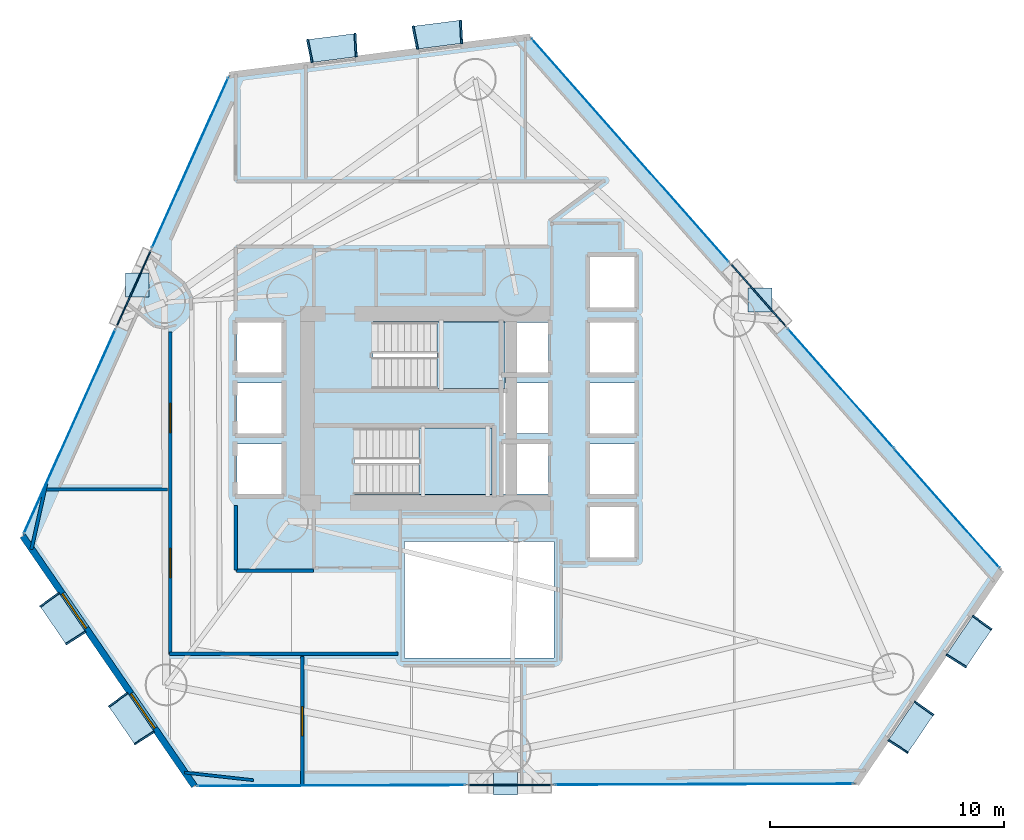
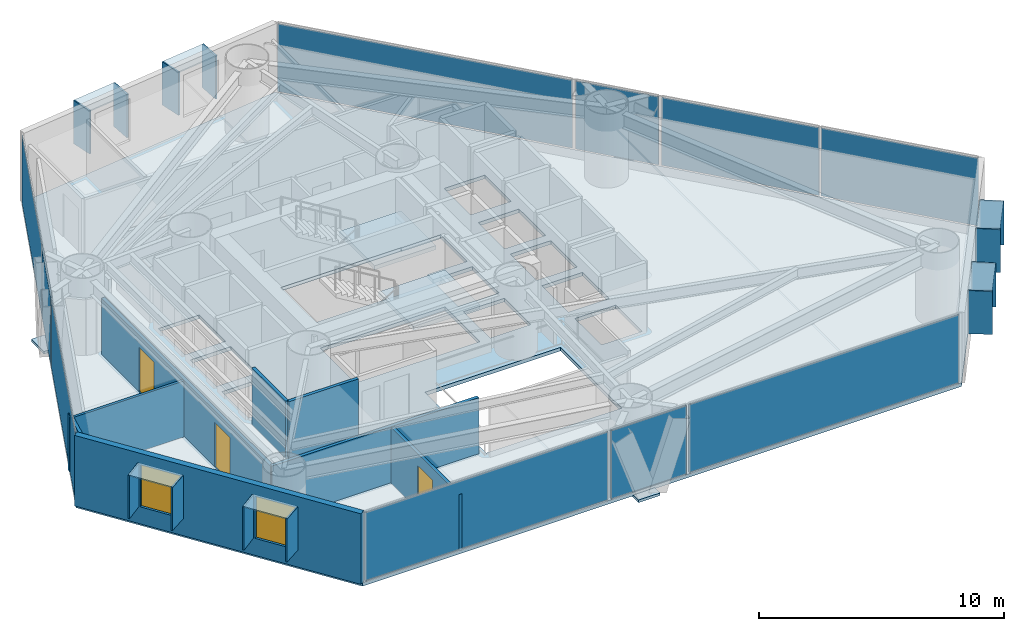
# One storey, part 15 of 22: 31 plates, 9 walls, 3 doors, 3 slabs, 2 windows, 5 openings, 11 elements without a shape of their own.
"""IFC4 building model written with IfcOpenShell, lengths in metres."""

from ifc_helpers import new_model, si_unit, direction, frame, frame_2d, origin, origin_2d, place, context, subcontext, project, spatial, polyline, rectangle, outline, extrude, material, layer, layer_set, type_object, element, fill, aggregate, save


model = new_model("IFC4")

# Units and contexts
model_context = context("Model", 3, precision=1e-05, world=origin(), true_north=direction((0.0, 1.0)))
body_context = subcontext(model_context, "Body", "Model", "MODEL_VIEW")
ifc_project = project(units=[si_unit("LENGTHUNIT", "METRE"), si_unit("AREAUNIT", "SQUARE_METRE"), si_unit("VOLUMEUNIT", "CUBIC_METRE"), si_unit("PLANEANGLEUNIT", "RADIAN"), si_unit("MASSUNIT", "GRAM", prefix="KILO")], contexts=[model_context])

# Site, building, storey
site_placement = place(None, origin())
site = spatial("IfcSite", under=ifc_project, at=site_placement, CompositionType="ELEMENT")
building_placement = place(site_placement, origin())
building = spatial("IfcBuilding", under=site, at=building_placement, Name="Qianvela Tower", CompositionType="ELEMENT")
storey_placement = place(building_placement, frame((0.0, 0.0, 40.5)))
storey = spatial("IfcBuildingStorey", under=building, at=storey_placement, Name="L09", CompositionType="ELEMENT", Elevation=40.5)

# Curtain wall, plate
ifc_material_1 = material(Name="Anodised Architectural Aluminium and Insulated Spandrel Panel", Category="aluminium")
ifc_layer_1 = layer(ifc_material_1, 0.179931640625)
ifc_layer_set_1 = layer_set([ifc_layer_1], Name="Anodised Architectural Aluminium and Insulated Spandrel Panel")
curtain_wall_type_1 = type_object("IfcCurtainWallType", Name="CW-BRACEBAY", PredefinedType="USERDEFINED", material=ifc_layer_set_1)
curtain_wall_1_placement = place(storey_placement, origin())
curtain_wall_1 = element("IfcCurtainWall", 1, at=curtain_wall_1_placement, inside=storey, type_object=curtain_wall_type_1, Name="L09 CW-BRACEBAY Curtain Wall 02B", ObjectType="CURTAIN_WALL_SYSTEM", PredefinedType="USERDEFINED")
ifc_material_2 = material(Name="Insulated Aluminium Spandrel Panel with Mineral-Wool Backpan", Category="aluminium")
ifc_layer_2 = layer(ifc_material_2, 0.06005859375)
ifc_layer_set_2 = layer_set([ifc_layer_2], Name="Insulated Aluminium Spandrel Panel with Mineral-Wool Backpan")
plate_type_1 = type_object("IfcPlateType", Name="CW-BRACEBAY-PNL", PredefinedType="CURTAIN_PANEL", material=ifc_layer_set_2)
plate_1_placement = place(storey_placement, frame((48.758544921875, 33.54052734375, 0.06494140625), z_axis=(0.0, 0.0, 1.0), x_axis=(-0.662462790711, 0.749094821049, 0.0)))
plate_1 = element("IfcPlate", 2, at=plate_1_placement, type_object=plate_type_1, Name="CW-9 panel 1.1", PredefinedType="CURTAIN_PANEL", context=body_context, shape_type="SweptSolid", body=[
    extrude(rectangle(XDim=3.579833984375, YDim=0.06005859375, at=origin_2d()), origin(), (0.0, 0.0, 1.0), 3.389892578125),
])
aggregate(curtain_wall_1, [plate_1])

curtain_wall_2_placement = place(storey_placement, origin())
curtain_wall_2 = element("IfcCurtainWall", 3, at=curtain_wall_2_placement, inside=storey, type_object=curtain_wall_type_1, Name="L09 CW-BRACEBAY Curtain Wall 04B", ObjectType="CURTAIN_WALL_SYSTEM", PredefinedType="USERDEFINED")
plate_2_placement = place(storey_placement, frame((22.011962890625, 33.82421875, 0.06494140625), z_axis=(0.0, 0.0, 1.0), x_axis=(-0.40927318064, -0.912411893614, 0.0)))
plate_2 = element("IfcPlate", 4, at=plate_2_placement, type_object=plate_type_1, Name="CW-9 panel 1.1", PredefinedType="CURTAIN_PANEL", context=body_context, shape_type="SweptSolid", body=[
    extrude(rectangle(XDim=3.570068359375, YDim=0.06005859375, at=origin_2d()), origin(), (0.0, 0.0, 1.0), 3.389892578125),
])
aggregate(curtain_wall_2, [plate_2])

curtain_wall_3_placement = place(storey_placement, origin())
curtain_wall_3 = element("IfcCurtainWall", 5, at=curtain_wall_3_placement, inside=storey, type_object=curtain_wall_type_1, Name="L09 CW-BRACEBAY Curtain Wall 06B", ObjectType="CURTAIN_WALL_SYSTEM", PredefinedType="USERDEFINED")
plate_3_placement = place(storey_placement, frame((38.124267578125, 12.572998046875, 0.06494140625), z_axis=(0.0, 0.0, 1.0), x_axis=(0.999994293329, 0.003378359094, 0.0)))
plate_3 = element("IfcPlate", 6, at=plate_3_placement, type_object=plate_type_1, Name="CW-9 panel 1.1", PredefinedType="CURTAIN_PANEL", context=body_context, shape_type="SweptSolid", body=[
    extrude(rectangle(XDim=3.570068359375, YDim=0.06005859375, at=origin_2d()), origin(), (0.0, 0.0, 1.0), 3.389892578125),
])
aggregate(curtain_wall_3, [plate_3])

# Curtain wall, plates
ifc_material_3 = material(Name="Anodised Architectural Aluminium and Low-E Glass", Category="aluminium")
ifc_layer_3 = layer(ifc_material_3, 0.179931640625)
ifc_layer_set_3 = layer_set([ifc_layer_3], Name="Anodised Architectural Aluminium and Low-E Glass")
curtain_wall_type_2 = type_object("IfcCurtainWallType", Name="CW-COLIV-Z12", PredefinedType="USERDEFINED", material=ifc_layer_set_3)
curtain_wall_4_placement = place(storey_placement, origin())
curtain_wall_4 = element("IfcCurtainWall", 7, at=curtain_wall_4_placement, inside=storey, type_object=curtain_wall_type_2, Name="L09 CW-COLIV-Z12 Curtain Wall 02A", ObjectType="CURTAIN_WALL_SYSTEM", PredefinedType="USERDEFINED")
ifc_material_4 = material(Name="Double-Silver Low-E Insulated Glass", Category="glass")
ifc_layer_4 = layer(ifc_material_4, 0.030029296875)
ifc_layer_set_4 = layer_set([ifc_layer_4], Name="Double-Silver Low-E Insulated Glass")
plate_type_2 = type_object("IfcPlateType", Name="CW-COLIV-Z12-PNL", PredefinedType="CURTAIN_PANEL", material=ifc_layer_set_4)
plate_4_placement = place(storey_placement, frame((56.8271484375, 24.41650390625, 0.06494140625), z_axis=(0.0, 0.0, 1.0), x_axis=(-0.662449638765, 0.749106451782, 0.0)))
plate_4 = element("IfcPlate", 8, at=plate_4_placement, type_object=plate_type_2, Name="CW-3 panel 1.1", PredefinedType="CURTAIN_PANEL", context=body_context, shape_type="SweptSolid", body=[
    extrude(rectangle(XDim=6.7900390625, YDim=0.030029296875, at=origin_2d()), origin(), (0.0, 0.0, 1.0), 3.389892578125),
])
plate_5_placement = place(storey_placement, frame((52.28271484375, 29.555419921875, 0.06494140625), z_axis=(0.0, 0.0, 1.0), x_axis=(-0.662449638765, 0.749106451782, 0.0)))
plate_5 = element("IfcPlate", 9, at=plate_5_placement, type_object=plate_type_2, Name="CW-3 panel 2.1", PredefinedType="CURTAIN_PANEL", context=body_context, shape_type="SweptSolid", body=[
    extrude(rectangle(XDim=6.7900390625, YDim=0.030029296875, at=origin_2d()), origin(), (0.0, 0.0, 1.0), 3.389892578125),
])
aggregate(curtain_wall_4, [plate_4, plate_5])

# Curtain wall, plate
curtain_wall_5_placement = place(storey_placement, origin())
curtain_wall_5 = element("IfcCurtainWall", 10, at=curtain_wall_5_placement, inside=storey, type_object=curtain_wall_type_2, Name="L09 CW-COLIV-Z12 Curtain Wall 02C", ObjectType="CURTAIN_WALL_SYSTEM", PredefinedType="USERDEFINED")
plate_6_placement = place(storey_placement, frame((43.27490234375, 39.741455078125, 0.06494140625), z_axis=(0.0, 0.0, 1.0), x_axis=(-0.662447221335, 0.749108589555, 0.0)))
plate_6 = element("IfcPlate", 11, at=plate_6_placement, type_object=plate_type_2, Name="CW-3 panel 1.1", PredefinedType="CURTAIN_PANEL", context=body_context, shape_type="SweptSolid", body=[
    extrude(rectangle(XDim=12.705322265625, YDim=0.030029296875, at=origin_2d()), origin(), (0.0, 0.0, 1.0), 3.389892578125),
])
aggregate(curtain_wall_5, [plate_6])

curtain_wall_6_placement = place(storey_placement, origin())
curtain_wall_6 = element("IfcCurtainWall", 12, at=curtain_wall_6_placement, inside=storey, type_object=curtain_wall_type_2, Name="L09 CW-COLIV-Z12 Curtain Wall 04A", ObjectType="CURTAIN_WALL_SYSTEM", PredefinedType="USERDEFINED")
plate_7_placement = place(storey_placement, frame((24.4287109375, 39.2119140625, 0.06494140625), z_axis=(0.0, 0.0, 1.0), x_axis=(-0.409285665371, -0.912406293338, 0.0)))
plate_7 = element("IfcPlate", 13, at=plate_7_placement, type_object=plate_type_2, Name="CW-3 panel 1.1", PredefinedType="CURTAIN_PANEL", context=body_context, shape_type="SweptSolid", body=[
    extrude(rectangle(XDim=7.969970703125, YDim=0.030029296875, at=origin_2d()), origin(), (0.0, 0.0, 1.0), 3.389892578125),
])
aggregate(curtain_wall_6, [plate_7])

curtain_wall_7_placement = place(storey_placement, origin())
curtain_wall_7 = element("IfcCurtainWall", 14, at=curtain_wall_7_placement, inside=storey, type_object=curtain_wall_type_2, Name="L09 CW-COLIV-Z12 Curtain Wall 04C", ObjectType="CURTAIN_WALL_SYSTEM", PredefinedType="USERDEFINED")
plate_8_placement = place(storey_placement, frame((19.267822265625, 27.706787109375, 0.06494140625), z_axis=(0.0, 0.0, 1.0), x_axis=(-0.409280934835, -0.912408415339, 0.0)))
plate_8 = element("IfcPlate", 15, at=plate_8_placement, type_object=plate_type_2, Name="CW-3 panel 1.1", PredefinedType="CURTAIN_PANEL", context=body_context, shape_type="SweptSolid", body=[
    extrude(rectangle(XDim=9.569580078125, YDim=0.030029296875, at=origin_2d()), origin(), (0.0, 0.0, 1.0), 3.389892578125),
])
aggregate(curtain_wall_7, [plate_8])

curtain_wall_8_placement = place(storey_placement, origin())
curtain_wall_8 = element("IfcCurtainWall", 16, at=curtain_wall_8_placement, inside=storey, type_object=curtain_wall_type_2, Name="L09 CW-COLIV-Z12 Curtain Wall 06A", ObjectType="CURTAIN_WALL_SYSTEM", PredefinedType="USERDEFINED")
plate_9_placement = place(storey_placement, frame((30.46435546875, 12.54736328125, 0.06494140625), z_axis=(0.0, 0.0, 1.0), x_axis=(0.999994338715, 0.00336489804, 0.0)))
plate_9 = element("IfcPlate", 17, at=plate_9_placement, type_object=plate_type_2, Name="CW-3 panel 1.1", PredefinedType="CURTAIN_PANEL", context=body_context, shape_type="SweptSolid", body=[
    extrude(rectangle(XDim=11.47998046875, YDim=0.030029296875, at=origin_2d()), origin(), (0.0, 0.0, 1.0), 3.389892578125),
])
aggregate(curtain_wall_8, [plate_9])

curtain_wall_9_placement = place(storey_placement, origin())
curtain_wall_9 = element("IfcCurtainWall", 18, at=curtain_wall_9_placement, inside=storey, type_object=curtain_wall_type_2, Name="L09 CW-COLIV-Z12 Curtain Wall 06C", ObjectType="CURTAIN_WALL_SYSTEM", PredefinedType="USERDEFINED")
plate_10_placement = place(storey_placement, frame((46.42919921875, 12.60107421875, 0.06494140625), z_axis=(0.0, 0.0, 1.0), x_axis=(0.999994349329, 0.003361742136, 0.0)))
plate_10 = element("IfcPlate", 19, at=plate_10_placement, type_object=plate_type_2, Name="CW-3 panel 1.1", PredefinedType="CURTAIN_PANEL", context=body_context, shape_type="SweptSolid", body=[
    extrude(rectangle(XDim=12.77001953125, YDim=0.030029296875, at=origin_2d()), origin(), (0.0, 0.0, 1.0), 3.389892578125),
])
aggregate(curtain_wall_9, [plate_10])

# Plates
ifc_material_5 = material(Name="Steel Q420GJC", Category="steel")
ifc_layer_5 = layer(ifc_material_5, 0.1298828125)
ifc_layer_set_5 = layer_set([ifc_layer_5], Name="Steel Q420GJC")
plate_type_3 = type_object("IfcPlateType", Name="PT-ENDCAP-130", PredefinedType="USERDEFINED", material=ifc_layer_set_5)
for number, where, z_axis, x_axis, name in (
    (20, (48.830810546875, 33.337890625, -0.26171875), (0.0, 0.0, 1.0), (1.0, 0.0, 0.0), "L09 Hollow Section End Cap Plate A"),
    (21, (22.166259765625, 33.97314453125, -0.26171875), (0.0, 0.0, 1.0), (1.0, 0.0, 0.0), "L09 Hollow Section End Cap Plate A"),
    (22, (37.92431640625, 12.65234375, -0.26171875), (0.0, 0.0, 1.0), (1.0, 0.0, 0.0), "L09 Hollow Section End Cap Plate A"),
):
    element("IfcPlate", number, at=place(storey_placement, frame(where, z_axis=z_axis, x_axis=x_axis)), inside=storey, type_object=plate_type_3, Name=name, ObjectType="END_CAP", PredefinedType="USERDEFINED", context=body_context, shape_type="SweptSolid", body=[
        extrude(rectangle(XDim=1.02001953125, YDim=1.02001953125, at=origin_2d()), origin(), (0.0, 0.0, 1.0), 0.1298828125),
    ])

# Slab
ifc_material_6 = material(Name="Concrete C40", Category="concrete")
ifc_layer_6 = layer(ifc_material_6, 0.179931640625)
ifc_layer_set_6 = layer_set([ifc_layer_6], Name="Concrete C40")
slab_type_1 = type_object("IfcSlabType", Name="SL-FLOOR-180", PredefinedType="FLOOR", material=ifc_layer_set_6)
slab_1_placement = place(storey_placement, frame((0.0, 0.0, -0.179931640625)))
element("IfcSlab", 23, at=slab_1_placement, inside=storey, type_object=slab_type_1, Name="L09 Composite Structural Floor Slab", PredefinedType="FLOOR", context=body_context, shape_type="SweptSolid", body=[
    extrude(outline(polyline([(52.93408203125, 12.622802734375), (59.155517578125, 21.783203125), (38.987060546875, 44.590087890625), (26.10888671875, 42.957275390625), (17.26025390625, 23.231689453125), (24.6044921875, 12.527587890625), (52.93408203125, 12.622802734375)]), holes=[polyline([(40.0, 23.0), (33.60009765625, 23.0), (33.60009765625, 18.0), (40.0, 18.0), (40.0, 23.0)]), polyline([(28.360107421875, 25.02001953125), (28.360107421875, 27.179931640625), (26.43994140625, 27.179931640625), (26.43994140625, 25.02001953125), (28.360107421875, 25.02001953125)]), polyline([(37.35009765625, 25.0), (37.35009765625, 27.860107421875), (31.469970703125, 27.860107421875), (31.469970703125, 25.0), (37.35009765625, 25.0)]), polyline([(28.360107421875, 27.6201171875), (28.360107421875, 29.780029296875), (26.43994140625, 29.780029296875), (26.43994140625, 27.6201171875), (28.360107421875, 27.6201171875)]), polyline([(37.89990234375, 32.3798828125), (37.89990234375, 32.39990234375), (32.25, 32.39990234375), (32.25, 29.5400390625), (37.840087890625, 29.5400390625), (37.840087890625, 27.6201171875), (39.760009765625, 27.6201171875), (39.760009765625, 29.780029296875), (37.89990234375, 29.780029296875), (37.89990234375, 30.219970703125), (39.760009765625, 30.219970703125), (39.760009765625, 32.3798828125), (37.89990234375, 32.3798828125)]), polyline([(28.360107421875, 30.219970703125), (28.360107421875, 32.3798828125), (26.43994140625, 32.3798828125), (26.43994140625, 30.219970703125), (28.360107421875, 30.219970703125)]), polyline([(43.4599609375, 24.47998046875), (41.5400390625, 24.47998046875), (41.5400390625, 22.320068359375), (43.4599609375, 22.320068359375), (43.4599609375, 24.47998046875)]), polyline([(39.760009765625, 25.02001953125), (39.760009765625, 27.179931640625), (37.840087890625, 27.179931640625), (37.840087890625, 25.02001953125), (39.760009765625, 25.02001953125)]), polyline([(43.4599609375, 25.02001953125), (43.4599609375, 27.179931640625), (41.5400390625, 27.179931640625), (41.5400390625, 25.02001953125), (43.4599609375, 25.02001953125)]), polyline([(43.4599609375, 27.6201171875), (43.4599609375, 29.780029296875), (41.5400390625, 29.780029296875), (41.5400390625, 27.6201171875), (43.4599609375, 27.6201171875)]), polyline([(43.4599609375, 30.219970703125), (43.4599609375, 32.3798828125), (41.5400390625, 32.3798828125), (41.5400390625, 30.219970703125), (43.4599609375, 30.219970703125)]), polyline([(43.4599609375, 33.02001953125), (43.4599609375, 35.179931640625), (41.5400390625, 35.179931640625), (41.5400390625, 33.02001953125), (43.4599609375, 33.02001953125)])]), origin(), (0.0, 0.0, 1.0), 0.179931640625),
])

# Stair, slab
ifc_material_7 = material(Name="Concrete C40", Category="concrete")
stair_type = type_object("IfcStairType", Name="ST-DOGLEG-1350-R168-N22", PredefinedType="HALF_TURN_STAIR", material=ifc_material_7)
stair_1_placement = place(storey_placement, origin())
stair_1 = element("IfcStair", 24, at=stair_1_placement, inside=storey, type_object=stair_type, Name="L09 Smoke-Proof Core Stair ST-1", PredefinedType="HALF_TURN_STAIR")
ifc_material_8 = material(Name="Concrete C40", Category="concrete")
ifc_layer_7 = layer(ifc_material_8, 0.199951171875)
ifc_layer_set_7 = layer_set([ifc_layer_7], Name="Concrete C40")
slab_type_2 = type_object("IfcSlabType", Name="SL-STAIR-LANDING-200", PredefinedType="LANDING", material=ifc_layer_set_7)
slab_2_placement = place(storey_placement, frame((0.0, 0.0, 1.64990234375)))
slab_2 = element("IfcSlab", 25, at=slab_2_placement, type_object=slab_type_2, Name="ST-1 landing 1", PredefinedType="LANDING", context=body_context, shape_type="SweptSolid", body=[
    extrude(outline(polyline([(35.0, 29.5400390625), (37.89990234375, 29.5400390625), (37.89990234375, 32.39990234375), (35.0, 32.39990234375), (35.0, 29.5400390625)])), origin(), (0.0, 0.0, 1.0), 0.2001953125),
])
aggregate(stair_1, [slab_2])

stair_2_placement = place(storey_placement, origin())
stair_2 = element("IfcStair", 26, at=stair_2_placement, inside=storey, type_object=stair_type, Name="L09 Smoke-Proof Core Stair ST-2", PredefinedType="HALF_TURN_STAIR")
slab_3_placement = place(storey_placement, frame((0.0, 0.0, 1.64990234375)))
slab_3 = element("IfcSlab", 27, at=slab_3_placement, type_object=slab_type_2, Name="ST-2 landing 1", PredefinedType="LANDING", context=body_context, shape_type="SweptSolid", body=[
    extrude(outline(polyline([(34.219970703125, 25.0), (37.35009765625, 25.0), (37.35009765625, 27.860107421875), (34.219970703125, 27.860107421875), (34.219970703125, 25.0)])), origin(), (0.0, 0.0, 1.0), 0.2001953125),
])
aggregate(stair_2, [slab_3])

# Plates
ifc_material_9 = material(Name="Vitrified Architectural Terracotta Panel", Category="masonry")
ifc_layer_8 = layer(ifc_material_9, 0.06494140625)
ifc_layer_set_8 = layer_set([ifc_layer_8], Name="Vitrified Architectural Terracotta Panel")
plate_type_4 = type_object("IfcPlateType", Name="TERRACOTTA-SUNSHADE-HOOD-FOLD-B", PredefinedType="USERDEFINED", material=ifc_layer_set_8)
for number, where, z_axis, x_axis, name in (
    (28, (55.292724609375, 15.03662109375, 2.9599609375), (0.0, 0.0, 1.0), (0.561836509548, 0.827248291953, 0.0), "L09 Terracotta Sunshade Hood FOLD-B"),
    (29, (57.781494140625, 18.700927734375, 2.9599609375), (0.0, 0.0, 1.0), (0.561836509548, 0.827248291953, 0.0), "L09 Terracotta Sunshade Hood FOLD-B"),
    (30, (18.972900390625, 19.683837890625, 2.9599609375), (0.0, 0.0, 1.0), (0.565745842705, -0.82457967563, 0.0), "L09 Terracotta Sunshade Hood FOLD-B"),
    (31, (21.910400390625, 15.402099609375, 2.9599609375), (0.0, 0.0, 1.0), (0.565745842705, -0.82457967563, 0.0), "L09 Terracotta Sunshade Hood FOLD-B"),
):
    element("IfcPlate", number, at=place(storey_placement, frame(where, z_axis=z_axis, x_axis=x_axis)), inside=storey, type_object=plate_type_4, Name=name, ObjectType="SUNSHADE", PredefinedType="USERDEFINED", context=body_context, shape_type="SweptSolid", body=[
        extrude(rectangle(XDim=2.0400390625, YDim=0.989990234375, at=origin_2d()), origin(), (0.0, 0.0, 1.0), 0.06005859375),
    ])
ifc_material_10 = material(Name="Vitrified Architectural Terracotta Panel", Category="masonry")
ifc_layer_9 = layer(ifc_material_10, 0.074951171875)
ifc_layer_set_9 = layer_set([ifc_layer_9], Name="Vitrified Architectural Terracotta Panel")
plate_type_5 = type_object("IfcPlateType", Name="TERRACOTTA-SUNSHADE-HOOD-FOLD-D", PredefinedType="USERDEFINED", material=ifc_layer_set_9)
for number, where, z_axis, x_axis, name in (
    (32, (35.048828125, 44.690673828125, 2.9599609375), (0.0, 0.0, 1.0), (-0.992057285677, -0.125786890949, 0.0), "L09 Terracotta Sunshade Hood FOLD-D"),
    (33, (30.532470703125, 44.117919921875, 2.9599609375), (0.0, 0.0, 1.0), (-0.992057285677, -0.125786890949, 0.0), "L09 Terracotta Sunshade Hood FOLD-D"),
):
    element("IfcPlate", number, at=place(storey_placement, frame(where, z_axis=z_axis, x_axis=x_axis)), inside=storey, type_object=plate_type_5, Name=name, ObjectType="SUNSHADE", PredefinedType="USERDEFINED", context=body_context, shape_type="SweptSolid", body=[
        extrude(rectangle(XDim=2.0400390625, YDim=0.989990234375, at=origin_2d()), origin(), (0.0, 0.0, 1.0), 0.06005859375),
    ])
ifc_material_11 = material(Name="Vitrified Architectural Terracotta Side Fin Panel", Category="masonry")
ifc_layer_10 = layer(ifc_material_11, 0.070068359375)
ifc_layer_set_10 = layer_set([ifc_layer_10], Name="Vitrified Architectural Terracotta Side Fin Panel")
plate_type_6 = type_object("IfcPlateType", Name="TERRACOTTA-SUNSHADE-STRUT-FOLD-B", PredefinedType="USERDEFINED", material=ifc_layer_set_10)
for number, where, z_axis, x_axis, name in (
    (34, (54.736572265625, 14.2177734375, 0.85009765625), (0.0, 0.0, 1.0), (0.53631153096, 0.844020107438, 0.0), "L09 Terracotta Sunshade Side Fin HL FOLD-B"),
    (35, (55.84912109375, 15.855712890625, 0.85009765625), (0.0, 0.0, 1.0), (0.586837396743, 0.8097048041, 0.0), "L09 Terracotta Sunshade Side Fin HR FOLD-B"),
    (36, (57.22509765625, 17.8818359375, 0.85009765625), (0.0, 0.0, 1.0), (0.53631153096, 0.844020107438, 0.0), "L09 Terracotta Sunshade Side Fin HL FOLD-B"),
    (37, (58.337646484375, 19.52001953125, 0.85009765625), (0.0, 0.0, 1.0), (0.586837396743, 0.8097048041, 0.0), "L09 Terracotta Sunshade Side Fin HR FOLD-B"),
    (38, (18.412841796875, 20.5, 0.85009765625), (0.0, 0.0, 1.0), (0.590663410977, -0.806918047222, 0.0), "L09 Terracotta Sunshade Side Fin HL FOLD-B"),
    (39, (19.532958984375, 18.867431640625, 0.85009765625), (0.0, 0.0, 1.0), (0.540300536343, -0.841472121004, 0.0), "L09 Terracotta Sunshade Side Fin HR FOLD-B"),
    (40, (21.3505859375, 16.218505859375, 0.85009765625), (0.0, 0.0, 1.0), (0.590663410977, -0.806918047222, 0.0), "L09 Terracotta Sunshade Side Fin HL FOLD-B"),
    (41, (22.470703125, 14.585693359375, 0.85009765625), (0.0, 0.0, 1.0), (0.540300536343, -0.841472121004, 0.0), "L09 Terracotta Sunshade Side Fin HR FOLD-B"),
):
    element("IfcPlate", number, at=place(storey_placement, frame(where, z_axis=z_axis, x_axis=x_axis)), inside=storey, type_object=plate_type_6, Name=name, ObjectType="SUNSHADE", PredefinedType="USERDEFINED", context=body_context, shape_type="SweptSolid", body=[
        extrude(rectangle(XDim=0.070068359375, YDim=1.010009765625, at=origin_2d()), origin(), (0.0, 0.0, 1.0), 2.159912109375),
    ])
ifc_material_12 = material(Name="Vitrified Architectural Terracotta Side Fin Panel", Category="masonry")
ifc_layer_11 = layer(ifc_material_12, 0.080078125)
ifc_layer_set_11 = layer_set([ifc_layer_11], Name="Vitrified Architectural Terracotta Side Fin Panel")
plate_type_7 = type_object("IfcPlateType", Name="TERRACOTTA-SUNSHADE-STRUT-FOLD-D", PredefinedType="USERDEFINED", material=ifc_layer_set_11)
for number, where, z_axis, x_axis, name in (
    (42, (36.031005859375, 44.815185546875, 0.85009765625), (0.0, 0.0, 1.0), (-0.998651188346, -0.051921132653, 0.0), "L09 Terracotta Sunshade Side Fin HL FOLD-D"),
    (43, (34.066650390625, 44.566162109375, 0.85009765625), (0.0, 0.0, 1.0), (-0.980007435196, -0.198960867911, 0.0), "L09 Terracotta Sunshade Side Fin HR FOLD-D"),
    (44, (31.514404296875, 44.242431640625, 0.85009765625), (0.0, 0.0, 1.0), (-0.998651188346, -0.051921132653, 0.0), "L09 Terracotta Sunshade Side Fin HL FOLD-D"),
    (45, (29.55029296875, 43.993408203125, 0.85009765625), (0.0, 0.0, 1.0), (-0.980007435196, -0.198960867911, 0.0), "L09 Terracotta Sunshade Side Fin HR FOLD-D"),
):
    element("IfcPlate", number, at=place(storey_placement, frame(where, z_axis=z_axis, x_axis=x_axis)), inside=storey, type_object=plate_type_7, Name=name, ObjectType="SUNSHADE", PredefinedType="USERDEFINED", context=body_context, shape_type="SweptSolid", body=[
        extrude(rectangle(XDim=0.080078125, YDim=1.010009765625, at=origin_2d()), origin(), (0.0, 0.0, 1.0), 2.159912109375),
    ])

# Wall, openings, windows
ifc_material_13 = material(Name="Terracotta Cladding on Concrete C40", Category="masonry")
ifc_layer_12 = layer(ifc_material_13, 0.280029296875)
ifc_layer_set_12 = layer_set([ifc_layer_12], Name="Terracotta Cladding on Concrete C40")
wall_type_1 = type_object("IfcWallType", Name="TERRACOTTA-WALL-280", PredefinedType="SOLIDWALL", material=ifc_layer_set_12)
wall_1_placement = place(storey_placement, frame((17.26025390625, 23.231689453125, 0.0), z_axis=(0.0, 0.0, 1.0), x_axis=(0.565752744853, -0.824574940009, 0.0)))
wall_1 = element("IfcWall", 46, at=wall_1_placement, inside=storey, type_object=wall_type_1, Name="L09 Terracotta Chamfer Facet Wall 5", PredefinedType="SOLIDWALL", context=body_context, shape_type="SweptSolid", body=[
    extrude(rectangle(XDim=12.9814453125, YDim=0.280029296875, at=frame_2d((6.49072265625, 0.0))), origin(), (0.0, 0.0, 1.0), 3.52001953125),
])
opening_1_placement = place(wall_1_placement, frame((2.994384765625, 0.0, 0.85009765625)))
opening_1 = element("IfcOpeningElement", 47, at=opening_1_placement, cuts=wall_1, Name="Opening W-01", PredefinedType="OPENING", context=body_context, shape_type="SweptSolid", body=[
    extrude(rectangle(XDim=1.800048828125, YDim=2.10009765625, at=frame_2d((0.89990234375, 1.050048828125))), frame((0.0, 0.14990234375, 0.0), z_axis=(0.0, -1.0, 0.0), x_axis=(1.0, 0.0, 0.0)), (0.0, 0.0, 1.0), 0.300048828125),
])
opening_2_placement = place(wall_1_placement, frame((8.18701171875, 0.0, 0.85009765625)))
opening_2 = element("IfcOpeningElement", 48, at=opening_2_placement, cuts=wall_1, Name="Opening W-01", PredefinedType="OPENING", context=body_context, shape_type="SweptSolid", body=[
    extrude(rectangle(XDim=1.800048828125, YDim=2.10009765625, at=frame_2d((0.89990234375, 1.050048828125))), frame((0.0, 0.14990234375, 0.0), z_axis=(0.0, -1.0, 0.0), x_axis=(1.0, 0.0, 0.0)), (0.0, 0.0, 1.0), 0.300048828125),
])
ifc_material_14 = material(Name="Thermally Broken Aluminium and Low-E Glass", Category="aluminium")
window_type = type_object("IfcWindowType", Name="WIN-TC-1800x2100", PartitioningType="DOUBLE_PANEL_VERTICAL", PredefinedType="WINDOW", material=ifc_material_14)
window_1_placement = place(opening_1_placement, origin())
window_1 = element("IfcWindow", 49, at=window_1_placement, inside=storey, type_object=window_type, Name="L09 Chamfer Facet Window 5.1", OverallHeight=2.10009765625, OverallWidth=1.800048828125, PartitioningType="SINGLE_PANEL", PredefinedType="WINDOW", context=body_context, shape_type="SweptSolid", body=[
    extrude(rectangle(XDim=1.800048828125, YDim=2.10009765625, at=frame_2d((0.89990234375, 1.050048828125))), frame((0.0, 0.030029296875, 0.0), z_axis=(0.0, -1.0, 0.0), x_axis=(1.0, 0.0, 0.0)), (0.0, 0.0, 1.0), 0.06005859375),
])
fill(opening_1, window_1)
window_2_placement = place(opening_2_placement, origin())
window_2 = element("IfcWindow", 50, at=window_2_placement, inside=storey, type_object=window_type, Name="L09 Chamfer Facet Window 5.2", OverallHeight=2.10009765625, OverallWidth=1.800048828125, PartitioningType="SINGLE_PANEL", PredefinedType="WINDOW", context=body_context, shape_type="SweptSolid", body=[
    extrude(rectangle(XDim=1.800048828125, YDim=2.10009765625, at=frame_2d((0.89990234375, 1.050048828125))), frame((0.0, 0.030029296875, 0.0), z_axis=(0.0, -1.0, 0.0), x_axis=(1.0, 0.0, 0.0)), (0.0, 0.0, 1.0), 0.06005859375),
])
fill(opening_2, window_2)

# Walls
ifc_material_15 = material(Name="Fire-Rated Acoustic Gypsum Board")
ifc_layer_13 = layer(ifc_material_15, 0.14990234375)
ifc_layer_set_13 = layer_set([ifc_layer_13], Name="Fire-Rated Acoustic Gypsum Board")
wall_type_2 = type_object("IfcWallType", Name="WT-CORR-150", PredefinedType="PARTITIONING", material=ifc_layer_set_13)
wall_2_placement = place(storey_placement, frame((26.388916015625, 24.530517578125, 0.0), z_axis=(0.0, 0.0, 1.0), x_axis=(0.0, -1.0, 0.0)))
element("IfcWall", 51, at=wall_2_placement, inside=storey, type_object=wall_type_2, Name="L09 Partition 49", PredefinedType="PARTITIONING", context=body_context, shape_type="SweptSolid", body=[
    extrude(rectangle(XDim=2.75048828125, YDim=0.14990234375, at=frame_2d((1.375244140625, 0.0))), origin(), (0.0, 0.0, 1.0), 2.840087890625),
])
wall_3_placement = place(storey_placement, frame((26.419921875, 21.7490234375, 0.0), z_axis=(0.0, 0.0, 1.0), x_axis=(1.0, 0.0, 0.0)))
element("IfcWall", 52, at=wall_3_placement, inside=storey, type_object=wall_type_2, Name="L09 Partition 50 seg 1", PredefinedType="PARTITIONING", context=body_context, shape_type="SweptSolid", body=[
    extrude(rectangle(XDim=3.280029296875, YDim=0.14990234375, at=frame_2d((1.64013671875, 0.0))), origin(), (0.0, 0.0, 1.0), 2.840087890625),
])
wall_4_placement = place(storey_placement, frame((33.320068359375, 18.180908203125, 0.0), z_axis=(0.0, 0.0, 1.0), x_axis=(-1.0, 0.0, 0.0)))
element("IfcWall", 53, at=wall_4_placement, inside=storey, type_object=wall_type_2, Name="L09 Partition 51", PredefinedType="PARTITIONING", context=body_context, shape_type="SweptSolid", body=[
    extrude(rectangle(XDim=9.77001953125, YDim=0.14990234375, at=frame_2d((4.885009765625, 0.0))), origin(), (0.0, 0.0, 1.0), 2.798095703125),
])

# Wall, openings, doors
wall_5_placement = place(storey_placement, frame((23.5810546875, 18.14990234375, 0.0), z_axis=(0.0, 0.0, 1.0), x_axis=(0.0, 1.0, 0.0)))
wall_5 = element("IfcWall", 54, at=wall_5_placement, inside=storey, type_object=wall_type_2, Name="L09 Partition 52", PredefinedType="PARTITIONING", context=body_context, shape_type="SweptSolid", body=[
    extrude(rectangle(XDim=13.810302734375, YDim=0.14990234375, at=frame_2d((6.9052734375, 0.0))), origin(), (0.0, 0.0, 1.0), 2.798095703125),
])
opening_3_placement = place(wall_5_placement, frame((3.29931640625, 0.0, 0.0)))
opening_3 = element("IfcOpeningElement", 55, at=opening_3_placement, cuts=wall_5, Name="Opening D-LG1", PredefinedType="OPENING", context=body_context, shape_type="SweptSolid", body=[
    extrude(rectangle(XDim=1.25, YDim=2.199951171875, at=frame_2d((0.625, 1.10009765625))), frame((0.0, 0.0849609375, 0.0), z_axis=(0.0, -1.0, 0.0), x_axis=(1.0, 0.0, 0.0)), (0.0, 0.0, 1.0), 0.169921875),
])
opening_4_placement = place(wall_5_placement, frame((9.505615234375, 0.0, 0.0)))
opening_4 = element("IfcOpeningElement", 56, at=opening_4_placement, cuts=wall_5, Name="Opening D-LG1", PredefinedType="OPENING", context=body_context, shape_type="SweptSolid", body=[
    extrude(rectangle(XDim=1.25, YDim=2.199951171875, at=frame_2d((0.625, 1.10009765625))), frame((0.0, 0.0849609375, 0.0), z_axis=(0.0, -1.0, 0.0), x_axis=(1.0, 0.0, 0.0)), (0.0, 0.0, 1.0), 0.169921875),
])
ifc_material_16 = material(Name="Anodised Aluminium Acoustic Glass Door", Category="aluminium")
door_type = type_object("IfcDoorType", Name="DT-LOUNGE-1250", OperationType="NOTDEFINED", PredefinedType="DOOR", material=ifc_material_16)
door_1_placement = place(opening_3_placement, origin())
door_1 = element("IfcDoor", 57, at=door_1_placement, inside=storey, type_object=door_type, Name="L09 Door Social Sitting Lounge L09-01 to L09 Floor Corridor", OperationType="SINGLE_SWING_LEFT", OverallHeight=2.199951171875, OverallWidth=1.25, PredefinedType="DOOR", context=body_context, shape_type="SweptSolid", body=[
    extrude(rectangle(XDim=1.25, YDim=2.199951171875, at=frame_2d((0.625, 1.10009765625))), frame((0.0, 0.02490234375, 0.0), z_axis=(0.0, -1.0, 0.0), x_axis=(1.0, 0.0, 0.0)), (0.0, 0.0, 1.0), 0.050048828125),
])
fill(opening_3, door_1)
door_2_placement = place(opening_4_placement, origin())
door_2 = element("IfcDoor", 58, at=door_2_placement, inside=storey, type_object=door_type, Name="L09 Door Print Copy Kiosk L09-06 to L09 Floor Corridor", OperationType="SINGLE_SWING_RIGHT", OverallHeight=2.199951171875, OverallWidth=1.25, PredefinedType="DOOR", context=body_context, shape_type="SweptSolid", body=[
    extrude(rectangle(XDim=1.25, YDim=2.199951171875, at=frame_2d((0.625, 1.10009765625))), frame((0.0, 0.02490234375, 0.0), z_axis=(0.0, -1.0, 0.0), x_axis=(1.0, 0.0, 0.0)), (0.0, 0.0, 1.0), 0.050048828125),
])
fill(opening_4, door_2)

# Walls
ifc_material_17 = material(Name="Insulated Gypsum Stud Partition")
ifc_layer_14 = layer(ifc_material_17, 0.1201171875)
ifc_layer_set_14 = layer_set([ifc_layer_14], Name="Insulated Gypsum Stud Partition")
wall_type_3 = type_object("IfcWallType", Name="WT-PART-120", PredefinedType="PARTITIONING", material=ifc_layer_set_14)
wall_6_placement = place(storey_placement, frame((27.147216796875, 12.776123046875, 0.0), z_axis=(0.0, 0.0, 1.0), x_axis=(-0.993980428433, 0.109557783352, 0.0)))
element("IfcWall", 59, at=wall_6_placement, inside=storey, type_object=wall_type_3, Name="L09 Partition 57 seg 1", PredefinedType="PARTITIONING", context=body_context, shape_type="SweptSolid", body=[
    extrude(rectangle(XDim=2.974853515625, YDim=0.1201171875, at=frame_2d((1.4873046875, 0.0))), origin(), (0.0, 0.0, 1.0), 2.840087890625),
])
wall_7_placement = place(storey_placement, frame((18.135498046875, 25.22705078125, 0.0), z_axis=(0.0, 0.0, 1.0), x_axis=(1.0, 0.0, 0.0)))
element("IfcWall", 60, at=wall_7_placement, inside=storey, type_object=wall_type_3, Name="L09 Partition 60", PredefinedType="PARTITIONING", context=body_context, shape_type="SweptSolid", body=[
    extrude(rectangle(XDim=5.33447265625, YDim=0.1201171875, at=frame_2d((2.667236328125, 0.0))), origin(), (0.0, 0.0, 1.0), 2.798095703125),
])

# Wall, opening, door
ifc_material_18 = material(Name="Acoustic Double Gypsum Stud Partition")
ifc_layer_15 = layer(ifc_material_18, 0.139892578125)
ifc_layer_set_15 = layer_set([ifc_layer_15], Name="Acoustic Double Gypsum Stud Partition")
wall_type_4 = type_object("IfcWallType", Name="WT-ROOM-140", PredefinedType="PARTITIONING", material=ifc_layer_set_15)
wall_8_placement = place(storey_placement, frame((29.22705078125, 18.070068359375, 0.0), z_axis=(0.0, 0.0, 1.0), x_axis=(0.0, -1.0, 0.0)))
wall_8 = element("IfcWall", 61, at=wall_8_placement, inside=storey, type_object=wall_type_4, Name="L09 Partition 56", PredefinedType="PARTITIONING", context=body_context, shape_type="SweptSolid", body=[
    extrude(rectangle(XDim=5.546875, YDim=0.139892578125, at=frame_2d((2.7734375, 0.0))), origin(), (0.0, 0.0, 1.0), 2.798095703125),
])
opening_5_placement = place(wall_8_placement, frame((2.1484375, 0.0, 0.0)))
opening_5 = element("IfcOpeningElement", 62, at=opening_5_placement, cuts=wall_8, Name="Opening D-LG1", PredefinedType="OPENING", context=body_context, shape_type="SweptSolid", body=[
    extrude(rectangle(XDim=1.25, YDim=2.199951171875, at=frame_2d((0.625, 1.10009765625))), frame((0.0, 0.079833984375, 0.0), z_axis=(0.0, -1.0, 0.0), x_axis=(1.0, 0.0, 0.0)), (0.0, 0.0, 1.0), 0.159912109375),
])
door_3_placement = place(opening_5_placement, origin())
door_3 = element("IfcDoor", 63, at=door_3_placement, inside=storey, type_object=door_type, Name="L09 Door Commons Day Lounge L09-02 to Social Sitting Lounge L09-01", OperationType="SINGLE_SWING_RIGHT", OverallHeight=2.199951171875, OverallWidth=1.25, PredefinedType="DOOR", context=body_context, shape_type="SweptSolid", body=[
    extrude(rectangle(XDim=1.25, YDim=2.199951171875, at=frame_2d((0.625, 1.10009765625))), frame((0.0, 0.02490234375, 0.0), z_axis=(0.0, -1.0, 0.0), x_axis=(1.0, 0.0, 0.0)), (0.0, 0.0, 1.0), 0.050048828125),
])
fill(opening_5, door_3)

# Wall
wall_9_placement = place(storey_placement, frame((17.6337890625, 22.656982421875, 0.0), z_axis=(0.0, 0.0, 1.0), x_axis=(0.219546313743, 0.975602078781, 0.0)))
element("IfcWall", 64, at=wall_9_placement, inside=storey, type_object=wall_type_4, Name="L09 Partition 59", PredefinedType="PARTITIONING", context=body_context, shape_type="SweptSolid", body=[
    extrude(rectangle(XDim=2.89453125, YDim=0.139892578125, at=frame_2d((1.447265625, 0.0))), origin(), (0.0, 0.0, 1.0), 2.840087890625),
])

save(model, "model.ifc")
